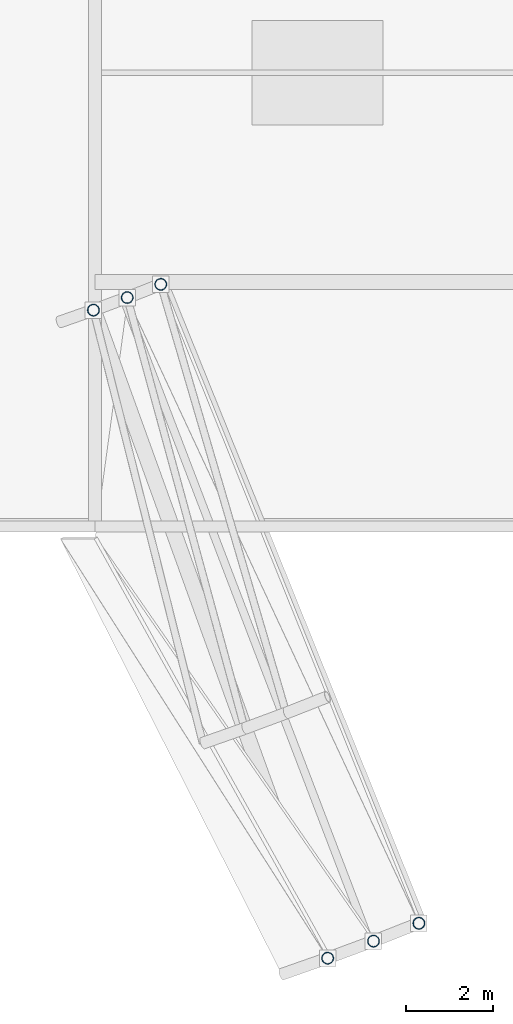
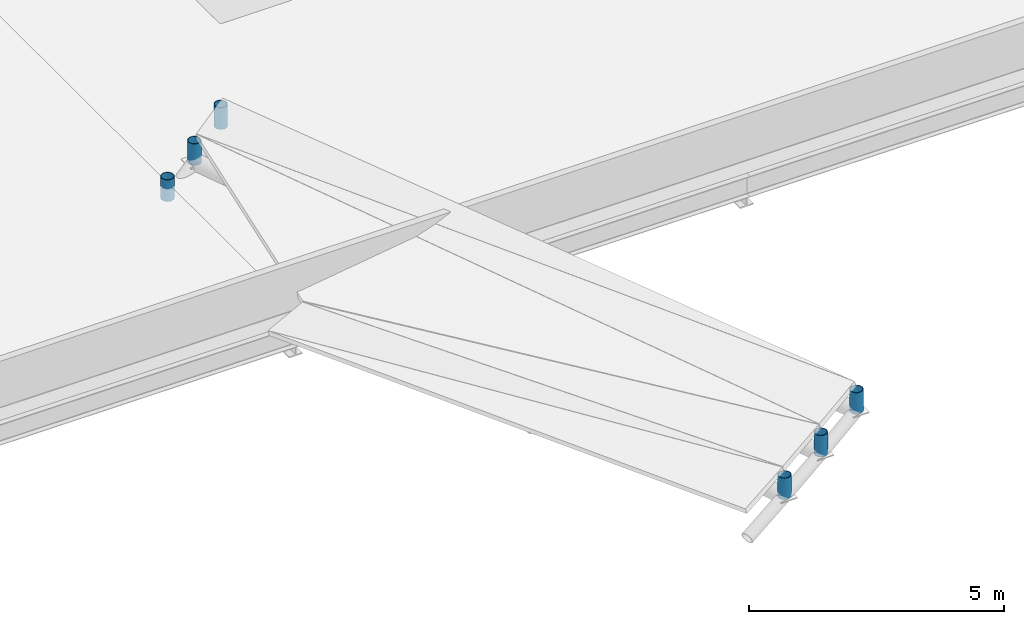
# One storey, part 106 of 135: 6 members.
"""IFC4 building model written with IfcOpenShell, lengths in metres."""

from ifc_helpers import new_model, si_unit, direction, frame, origin, origin_2d, place, context, subcontext, project, spatial, hollow_circle, extrude, material, material_profile, profile_set, type_object, element, save


model = new_model("IFC4")

# Units and contexts
model_context = context("Model", 3, precision=1e-05, world=origin(), true_north=direction((0.0, 1.0)))
body_context = subcontext(model_context, "Body", "Model", "MODEL_VIEW")
ifc_project = project(units=[si_unit("LENGTHUNIT", "METRE"), si_unit("AREAUNIT", "SQUARE_METRE"), si_unit("VOLUMEUNIT", "CUBIC_METRE"), si_unit("PLANEANGLEUNIT", "RADIAN"), si_unit("MASSUNIT", "GRAM", prefix="KILO")], contexts=[model_context])

# Site, building, storey
site_placement = place(None, origin())
site = spatial("IfcSite", under=ifc_project, at=site_placement, CompositionType="ELEMENT")
building_placement = place(site_placement, origin())
building = spatial("IfcBuilding", under=site, at=building_placement, Name="Brelvane Convention Centre", CompositionType="ELEMENT")
storey_placement = place(building_placement, frame((0.0, 0.0, 15.0)))
storey = spatial("IfcBuildingStorey", under=building, at=storey_placement, Name="L03", CompositionType="ELEMENT", Elevation=15.0)

# Members
ifc_material = material(Name="Steel E350 (350 MPa)", Category="steel")
ifc_material_profile = material_profile(ifc_material, hollow_circle(Radius=0.136474609375, WallThickness=0.012451171875, at=origin_2d()), Name="CHS 273.0x12.5")
ifc_profile_set = profile_set([ifc_material_profile], Name="Steel E350 (350 MPa)")
member_type = type_object("IfcMemberType", Name="Steel Strut SF-VT1 (CHS 273.0x12.5)", PredefinedType="STRUT", material=ifc_profile_set)
for number, where, z_axis, x_axis, name in (
    (1, (164.70751953125, 19.147705078125, 0.52001953125), (0.0, 0.0, 1.0), (1.0, 0.0, 0.0), "Boulevard Canopy Deck Stand-off Post 00-IN"),
    (2, (170.626220703125, 4.498046875, 0.52001953125), (0.0, 0.0, 1.0), (1.0, 0.0, 0.0), "Boulevard Canopy Deck Stand-off Post 00-OUT"),
    (3, (163.937744140625, 18.844970703125, 0.110107421875), (0.0, 0.0, 1.0), (1.0, 0.0, 0.0), "Boulevard Canopy Deck Stand-off Post 01-IN"),
    (4, (169.583984375, 4.088134765625, 0.110107421875), (0.0, 0.0, 1.0), (1.0, 0.0, 0.0), "Boulevard Canopy Deck Stand-off Post 01-OUT"),
    (5, (163.16259765625, 18.556396484375, -0.304443359375), (0.0, 0.0, 1.0), (1.0, 0.0, 0.0), "Boulevard Canopy Deck Stand-off Post 02-IN"),
    (6, (168.5341796875, 3.697509765625, -0.304443359375), (0.0, 0.0, 1.0), (1.0, 0.0, 0.0), "Boulevard Canopy Deck Stand-off Post 02-OUT"),
):
    element("IfcMember", number, at=place(storey_placement, frame(where, z_axis=z_axis, x_axis=x_axis)), inside=storey, type_object=member_type, Name=name, PredefinedType="STRUT", context=body_context, shape_type="SweptSolid", body=[
        extrude(hollow_circle(Radius=0.136474609375, WallThickness=0.012451171875, at=origin_2d()), origin(), (0.0, 0.0, 1.0), 0.514892578125),
    ])

save(model, "model.ifc")
